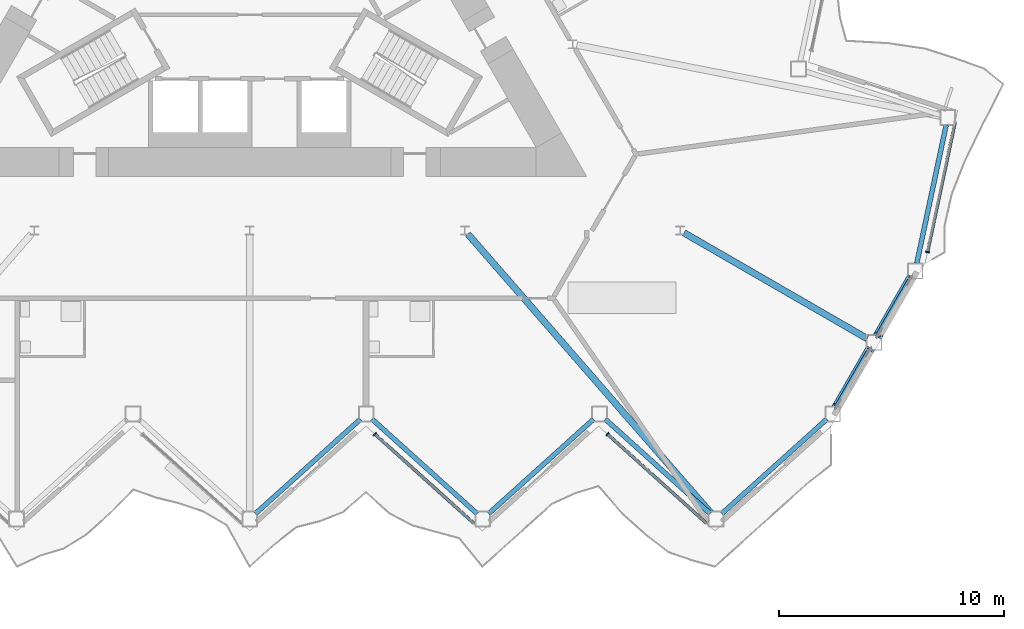
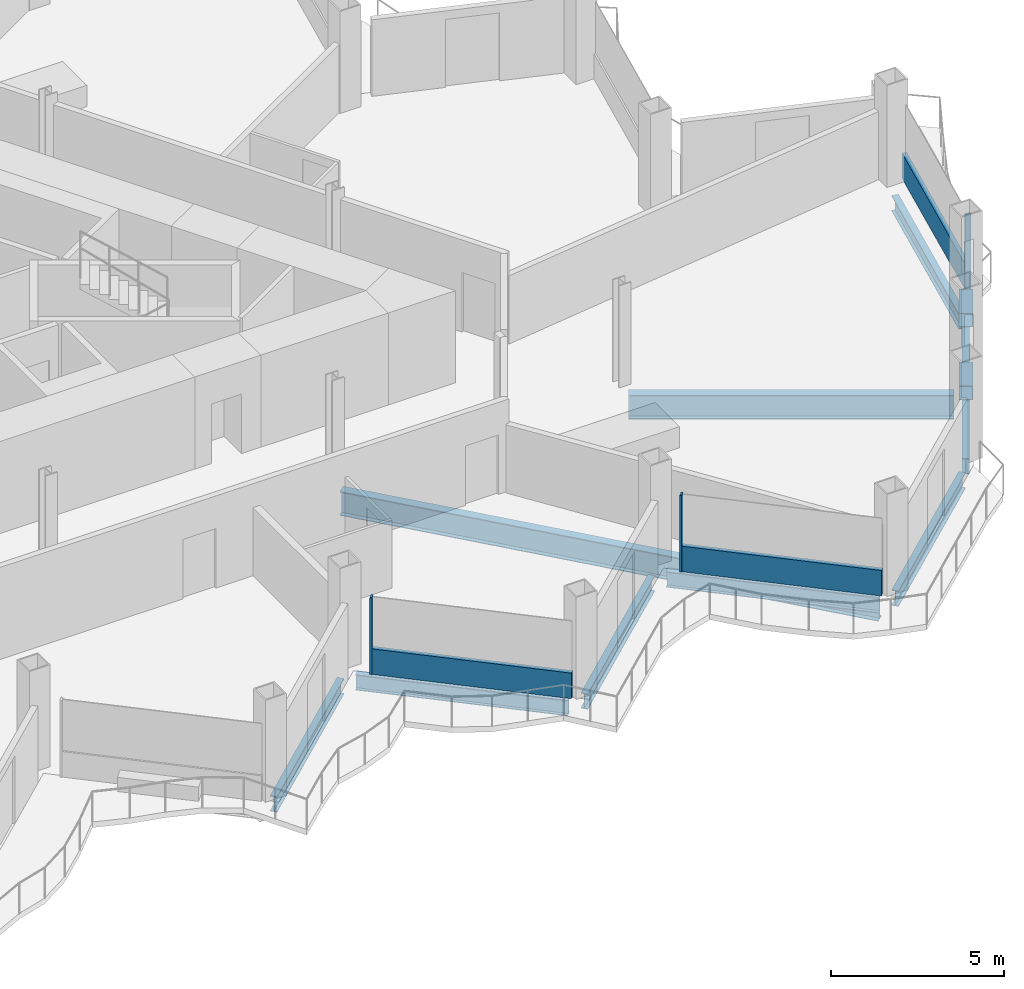
# One storey, part 6 of 23: 10 beams, 8 members, 3 elements without a shape of their own.
"""IFC4 building model written with IfcOpenShell, lengths in metres."""

from ifc_helpers import new_model, si_unit, direction, frame, origin, origin_2d, place, context, subcontext, project, spatial, rectangle, hollow_rectangle, i_section, extrude, material, layer, layer_set, material_profile, profile_set, type_object, element, aggregate, save


model = new_model("IFC4")

# Units and contexts
model_context = context("Model", 3, precision=1e-05, world=origin(), true_north=direction((0.0, 1.0)))
body_context = subcontext(model_context, "Body", "Model", "MODEL_VIEW")
ifc_project = project(units=[si_unit("LENGTHUNIT", "METRE"), si_unit("AREAUNIT", "SQUARE_METRE"), si_unit("VOLUMEUNIT", "CUBIC_METRE"), si_unit("PLANEANGLEUNIT", "RADIAN"), si_unit("MASSUNIT", "GRAM", prefix="KILO")], contexts=[model_context])

# Site, building, storey
site_placement = place(None, origin())
site = spatial("IfcSite", under=ifc_project, at=site_placement, CompositionType="ELEMENT")
building_placement = place(site_placement, origin())
building = spatial("IfcBuilding", under=site, at=building_placement, Name="Cormorant Prow Tower", CompositionType="ELEMENT")
storey_placement = place(building_placement, frame((0.0, 0.0, 249.0)))
storey = spatial("IfcBuildingStorey", under=building, at=storey_placement, Name="L55", CompositionType="ELEMENT", Elevation=249.0)

# Members
ifc_material_1 = material(Name="Structural steel ASTM A500 Gr C", Category="steel")
ifc_material_profile_1 = material_profile(ifc_material_1, hollow_rectangle(XDim=0.406494140625, YDim=0.406494140625, WallThickness=0.01171875, at=origin_2d()), Name="HSS16x16x1/2")
ifc_profile_set_1 = profile_set([ifc_material_profile_1], Name="Structural steel ASTM A500 Gr C")
member_type_1 = type_object("IfcMemberType", Name="Chamfer brace HSS16x16x1/2", PredefinedType="BRACE", material=ifc_profile_set_1)
for number, where, z_axis, x_axis, name in (
    (1, (27.593505859375, -16.353271484375, 0.74951171875), (-0.462773096913, -0.801606962687, 0.378506721399), (0.866041729639, -0.499971721724, 0.0), "Chamfer brace BR2 at ESE00 L55"),
    (2, (29.4287109375, -13.174560546875, 0.74951171875), (-0.462773096913, -0.801606962687, 0.378506721399), (0.866041729639, -0.499971721724, 0.0), "Chamfer brace BR2 at ESE01 L55"),
):
    element("IfcMember", number, at=place(storey_placement, frame(where, z_axis=z_axis, x_axis=x_axis)), inside=storey, type_object=member_type_1, Name=name, PredefinedType="BRACE", context=body_context, shape_type="SweptSolid", body=[
        extrude(hollow_rectangle(XDim=0.406494140625, YDim=0.406494140625, WallThickness=0.01171875, at=origin_2d()), origin(), (0.0, 0.0, 1.0), 3.17529296875),
    ])

# Curtain wall, member
ifc_material_2 = material(Name="Aluminium 6063-T6", Category="aluminium")
ifc_layer = layer(ifc_material_2, 0.179931640625)
ifc_layer_set = layer_set([ifc_layer], Name="Aluminium 6063-T6")
curtain_wall_type = type_object("IfcCurtainWallType", Name="Hotel unitised curtain wall 180", PredefinedType="NOTDEFINED", material=ifc_layer_set)
curtain_wall_1_placement = place(storey_placement, origin())
curtain_wall_1 = element("IfcCurtainWall", 3, at=curtain_wall_1_placement, inside=storey, type_object=curtain_wall_type, Name="Hotel curtain wall S06", PredefinedType="NOTDEFINED")
ifc_material_3 = material(Name="Aluminium 6063-T6", Category="aluminium")
ifc_material_profile_2 = material_profile(ifc_material_3, rectangle(XDim=0.179931640625, YDim=0.06005859375, at=origin_2d()), Name="Hotel mullion 60x180")
ifc_profile_set_2 = profile_set([ifc_material_profile_2], Name="Aluminium 6063-T6")
member_type_2 = type_object("IfcMemberType", Name="Hotel mullion 60x180", PredefinedType="MULLION", material=ifc_profile_set_2)
member_1_placement = place(storey_placement, frame((5.5703125, -20.113525390625, 0.0), z_axis=(0.0, 0.0, 1.0), x_axis=(0.669130621132, 0.743144812176, 0.0)))
member_1 = element("IfcMember", 4, at=member_1_placement, type_object=member_type_2, Name="Hotel mullion S06", PredefinedType="MULLION", context=body_context, shape_type="SweptSolid", body=[
    extrude(rectangle(XDim=0.179931640625, YDim=0.06005859375, at=origin_2d()), origin(), (0.0, 0.0, 1.0), 2.700927734375),
])

curtain_wall_2_placement = place(storey_placement, origin())
curtain_wall_2 = element("IfcCurtainWall", 5, at=curtain_wall_2_placement, inside=storey, type_object=curtain_wall_type, Name="Hotel curtain wall S08", PredefinedType="NOTDEFINED")
member_2_placement = place(storey_placement, frame((15.921630859375, -20.113525390625, 0.0), z_axis=(0.0, 0.0, 1.0), x_axis=(0.669130621132, 0.743144812176, 0.0)))
member_2 = element("IfcMember", 6, at=member_2_placement, type_object=member_type_2, Name="Hotel mullion S08", PredefinedType="MULLION", context=body_context, shape_type="SweptSolid", body=[
    extrude(rectangle(XDim=0.179931640625, YDim=0.06005859375, at=origin_2d()), origin(), (0.0, 0.0, 1.0), 2.700927734375),
])

curtain_wall_3_placement = place(storey_placement, origin())
curtain_wall_3 = element("IfcCurtainWall", 7, at=curtain_wall_3_placement, inside=storey, type_object=curtain_wall_type, Name="Hotel curtain wall ENE00", PredefinedType="NOTDEFINED")
member_3_placement = place(storey_placement, frame((30.16064453125, -12.012939453125, 0.0), z_axis=(0.0, 0.0, 1.0), x_axis=(-0.978147605727, 0.207911667327, 0.0)))
member_3 = element("IfcMember", 8, at=member_3_placement, type_object=member_type_2, Name="Hotel mullion ENE00", PredefinedType="MULLION", context=body_context, shape_type="SweptSolid", body=[
    extrude(rectangle(XDim=0.179931640625, YDim=0.06005859375, at=origin_2d()), origin(), (0.0, 0.0, 1.0), 2.700927734375),
])

# Member
ifc_material_4 = material(Name="Terracotta", Category="masonry")
ifc_material_profile_3 = material_profile(ifc_material_4, rectangle(XDim=0.139892578125, YDim=0.89990234375, at=origin_2d()), Name="Hotel terracotta spandrel rail 140x900")
ifc_profile_set_3 = profile_set([ifc_material_profile_3], Name="Terracotta")
member_type_3 = type_object("IfcMemberType", Name="Hotel terracotta spandrel rail 140x900", PredefinedType="USERDEFINED", material=ifc_profile_set_3)
member_4_placement = place(storey_placement, frame((5.592529296875, -20.133544921875, 0.449951171875), z_axis=(0.743135764778, -0.669140669148, 0.0), x_axis=(0.669140669148, 0.743135764778, 0.0)))
member_4 = element("IfcMember", 9, at=member_4_placement, type_object=member_type_3, Name="Hotel spandrel rail S06", ObjectType="TRANSOM", PredefinedType="USERDEFINED", context=body_context, shape_type="SweptSolid", body=[
    extrude(rectangle(XDim=0.139892578125, YDim=0.89990234375, at=origin_2d()), origin(), (0.0, 0.0, 1.0), 5.902587890625),
])

aggregate(curtain_wall_1, [member_1, member_4])

member_5_placement = place(storey_placement, frame((15.944091796875, -20.133544921875, 0.449951171875), z_axis=(0.743135764778, -0.669140669148, 0.0), x_axis=(0.669140669148, 0.743135764778, 0.0)))
member_5 = element("IfcMember", 10, at=member_5_placement, type_object=member_type_3, Name="Hotel spandrel rail S08", ObjectType="TRANSOM", PredefinedType="USERDEFINED", context=body_context, shape_type="SweptSolid", body=[
    extrude(rectangle(XDim=0.139892578125, YDim=0.89990234375, at=origin_2d()), origin(), (0.0, 0.0, 1.0), 5.902587890625),
])

aggregate(curtain_wall_2, [member_2, member_5])

member_6_placement = place(storey_placement, frame((30.1669921875, -11.983642578125, 0.449951171875), z_axis=(0.207921579045, 0.978145498874, 0.0), x_axis=(-0.978145498874, 0.207921579045, 0.0)))
member_6 = element("IfcMember", 11, at=member_6_placement, type_object=member_type_3, Name="Hotel spandrel rail ENE00", ObjectType="TRANSOM", PredefinedType="USERDEFINED", context=body_context, shape_type="SweptSolid", body=[
    extrude(rectangle(XDim=0.139892578125, YDim=0.89990234375, at=origin_2d()), origin(), (0.0, 0.0, 1.0), 5.902587890625),
])

aggregate(curtain_wall_3, [member_3, member_6])

# Beams
ifc_material_5 = material(Name="Structural steel ASTM A992 Gr 50", Category="steel")
ifc_material_profile_4 = material_profile(ifc_material_5, i_section(OverallWidth=0.29296875, OverallDepth=0.845703125, WebThickness=0.015380859375, FlangeThickness=0.0244140625, at=origin_2d()), Name="W33x141")
ifc_profile_set_4 = profile_set([ifc_material_profile_4], Name="Structural steel ASTM A992 Gr 50")
beam_type_1 = type_object("IfcBeamType", Name="Radial floor beam W33x141", PredefinedType="BEAM", material=ifc_profile_set_4)
beam_1_placement = place(storey_placement, frame((9.70947265625, -11.210693359375, -0.77294921875), z_axis=(0.656874593387, -0.753999846527, 0.0), x_axis=(0.753999846527, 0.656874593387, 0.0)))
element("IfcBeam", 12, at=beam_1_placement, inside=storey, type_object=beam_type_1, Name="Radial floor beam FB2 8 L55", PredefinedType="BEAM", context=body_context, shape_type="SweptSolid", body=[
    extrude(i_section(OverallWidth=0.29296875, OverallDepth=0.845703125, WebThickness=0.015380859375, FlangeThickness=0.0244140625, at=origin_2d()), origin(), (0.0, 0.0, 1.0), 16.4619140625),
])
beam_2_placement = place(storey_placement, frame((19.32958984375, -11.159912109375, -0.77294921875), z_axis=(0.866021726843, -0.500006368596, 0.0), x_axis=(0.500006368596, 0.866021726843, 0.0)))
element("IfcBeam", 13, at=beam_2_placement, inside=storey, type_object=beam_type_1, Name="Radial floor beam FB2 9 L55", PredefinedType="BEAM", context=body_context, shape_type="SweptSolid", body=[
    extrude(i_section(OverallWidth=0.29296875, OverallDepth=0.845703125, WebThickness=0.015380859375, FlangeThickness=0.0244140625, at=origin_2d()), origin(), (0.0, 0.0, 1.0), 9.40380859375),
])
ifc_material_6 = material(Name="Structural steel ASTM A992 Gr 50", Category="steel")
ifc_material_profile_5 = material_profile(ifc_material_6, i_section(OverallWidth=0.2138671875, OverallDepth=0.549072265625, WebThickness=0.0146484375, FlangeThickness=0.023681640625, at=origin_2d()), Name="W21x93")
ifc_profile_set_5 = profile_set([ifc_material_profile_5], Name="Structural steel ASTM A992 Gr 50")
beam_type_2 = type_object("IfcBeamType", Name="Spandrel beam W21x93", PredefinedType="SPANDREL", material=ifc_profile_set_5)
for number, where, z_axis, x_axis, name in (
    (14, (0.260009765625, -23.65283203125, -0.62451171875), (0.743156918576, 0.669117175368, 0.0), (-0.669117175368, 0.743156918576, 0.0), "Spandrel beam SB2 S05-S06 L55"),
    (15, (5.4482421875, -19.44970703125, -0.62451171875), (0.743156918576, -0.669117175368, 0.0), (0.669117175368, 0.743156918576, 0.0), "Spandrel beam SB2 S06-S07 L55"),
    (16, (10.636474609375, -23.65283203125, -0.62451171875), (0.743156918576, 0.669117175368, 0.0), (-0.669117175368, 0.743156918576, 0.0), "Spandrel beam SB2 S07-S08 L55"),
    (17, (15.82470703125, -19.44970703125, -0.62451171875), (0.743156918576, -0.669117175368, 0.0), (0.669117175368, 0.743156918576, 0.0), "Spandrel beam SB2 S08-S09 L55"),
    (18, (21.012939453125, -23.65283203125, -0.62451171875), (0.743156918576, 0.669117175368, 0.0), (-0.669117175368, 0.743156918576, 0.0), "Spandrel beam SB2 S09-ESE00 L55"),
):
    element("IfcBeam", number, at=place(storey_placement, frame(where, z_axis=z_axis, x_axis=x_axis)), inside=storey, type_object=beam_type_2, Name=name, PredefinedType="SPANDREL", context=body_context, shape_type="SweptSolid", body=[
        extrude(i_section(OverallWidth=0.2138671875, OverallDepth=0.549072265625, WebThickness=0.0146484375, FlangeThickness=0.023681640625, at=origin_2d()), origin(), (0.0, 0.0, 1.0), 6.281494140625),
    ])
for number, where, z_axis, x_axis, name in (
    (19, (26.1162109375, -18.912353515625, -0.62451171875), (0.499966725515, 0.866044613965, 0.0), (-0.866044613965, 0.499966725515, 0.0), "Spandrel beam SB2 ESE00-ESE01 L55"),
    (20, (27.951416015625, -15.733642578125, -0.62451171875), (0.499966725515, 0.866044613965, 0.0), (-0.866044613965, 0.499966725515, 0.0), "Spandrel beam SB2 ESE01-ENE00 L55"),
):
    element("IfcBeam", number, at=place(storey_placement, frame(where, z_axis=z_axis, x_axis=x_axis)), inside=storey, type_object=beam_type_2, Name=name, PredefinedType="SPANDREL", context=body_context, shape_type="SweptSolid", body=[
        extrude(i_section(OverallWidth=0.2138671875, OverallDepth=0.549072265625, WebThickness=0.0146484375, FlangeThickness=0.023681640625, at=origin_2d()), origin(), (0.0, 0.0, 1.0), 2.970458984375),
    ])
beam_3_placement = place(storey_placement, frame((29.684326171875, -12.515625, -0.62451171875), z_axis=(0.207941499013, 0.978141264331, 0.0), x_axis=(-0.978141264331, 0.207941499013, 0.0)))
element("IfcBeam", 21, at=beam_3_placement, inside=storey, type_object=beam_type_2, Name="Spandrel beam SB2 ENE00-ENE01 L55", PredefinedType="SPANDREL", context=body_context, shape_type="SweptSolid", body=[
    extrude(i_section(OverallWidth=0.2138671875, OverallDepth=0.549072265625, WebThickness=0.0146484375, FlangeThickness=0.023681640625, at=origin_2d()), origin(), (0.0, 0.0, 1.0), 6.28125),
])

save(model, "model.ifc")
